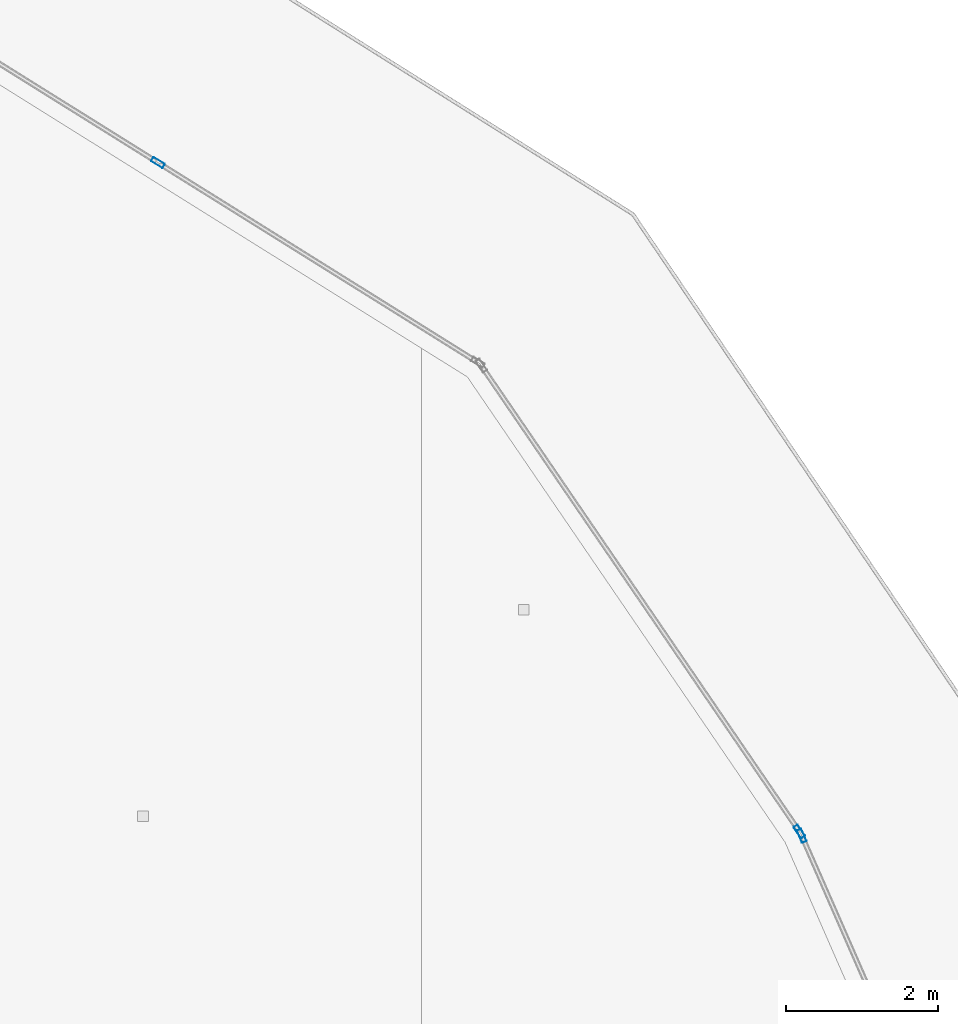
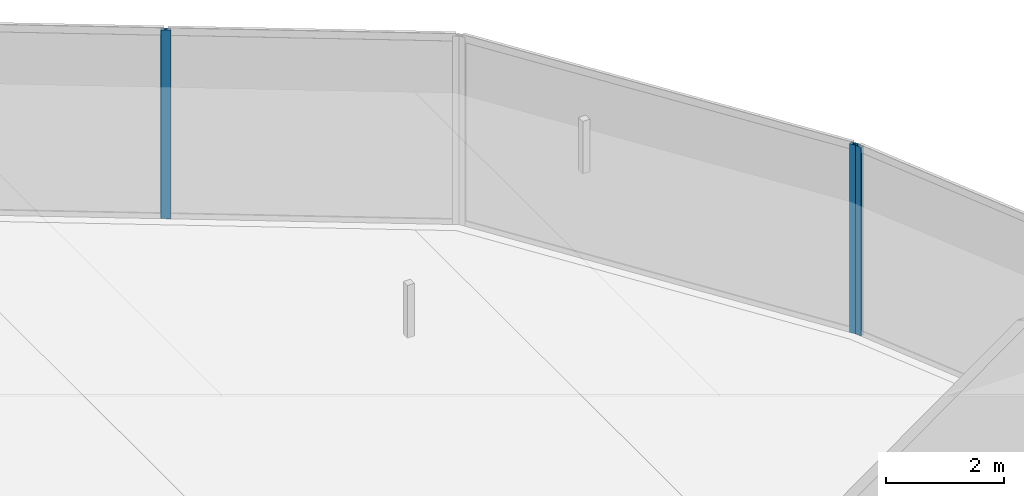
# One storey, part 21 of 44: 3 members, 3 elements without a shape of their own.
"""IFC4 building model written with IfcOpenShell, lengths in metres."""

from ifc_helpers import new_model, si_unit, direction, frame, origin, origin_2d, place, context, subcontext, project, spatial, hollow_rectangle, extrude, material, layer, layer_set, material_profile, profile_set, type_object, element, aggregate, save


model = new_model("IFC4")

# Units and contexts
model_context = context("Model", 3, precision=1e-05, world=origin(), true_north=direction((0.0, 1.0)))
body_context = subcontext(model_context, "Body", "Model", "MODEL_VIEW")
ifc_project = project(units=[si_unit("LENGTHUNIT", "METRE"), si_unit("AREAUNIT", "SQUARE_METRE"), si_unit("VOLUMEUNIT", "CUBIC_METRE"), si_unit("PLANEANGLEUNIT", "RADIAN"), si_unit("MASSUNIT", "GRAM", prefix="KILO")], contexts=[model_context])

# Site, building, storey
site_placement = place(None, origin())
site = spatial("IfcSite", under=ifc_project, at=site_placement, CompositionType="ELEMENT")
building_placement = place(site_placement, origin())
building = spatial("IfcBuilding", under=site, at=building_placement, Name="Qorvath Tower", CompositionType="ELEMENT")
storey_placement = place(building_placement, frame((0.0, 0.0, 53.39990234375)))
storey = spatial("IfcBuildingStorey", under=building, at=storey_placement, Name="L11", CompositionType="ELEMENT", Elevation=53.39990234375)

# Curtain wall, member
ifc_material_1 = material(Name="Anodised aluminium and triple low-E glass", Category="aluminium")
ifc_layer = layer(ifc_material_1, 0.179931640625)
ifc_layer_set = layer_set([ifc_layer], Name="CW-SYS-2")
curtain_wall_type = type_object("IfcCurtainWallType", Name="CW-SYS-2", PredefinedType="NOTDEFINED", material=ifc_layer_set)
curtain_wall_1_placement = place(storey_placement, origin())
curtain_wall_1 = element("IfcCurtainWall", 1, at=curtain_wall_1_placement, inside=storey, type_object=curtain_wall_type, Name="Curtain Wall CW-2 CW-T-L11-12.1", PredefinedType="NOTDEFINED")
ifc_material_2 = material(Name="Anodised aluminium 6063-T6", Category="aluminium")
ifc_material_profile = material_profile(ifc_material_2, hollow_rectangle(XDim=0.06494140625, YDim=0.179931640625, WallThickness=0.00341796875, InnerFilletRadius=0.00341796875, OuterFilletRadius=0.007080078125, at=origin_2d()), Name="CWM 180x65")
ifc_profile_set = profile_set([ifc_material_profile], Name="Anodised aluminium 6063-T6")
member_type = type_object("IfcMemberType", Name="CWM-180", PredefinedType="MULLION", material=ifc_profile_set)
member_1_placement = place(storey_placement, frame((2.63623046875, 19.49951171875, 0.0), z_axis=(0.0, 0.0, 1.0), x_axis=(-0.916000523281, -0.401177069819, 0.0)))
member_1 = element("IfcMember", 2, at=member_1_placement, type_object=member_type, Name="CW-2 mullion 2", PredefinedType="MULLION", context=body_context, shape_type="SweptSolid", body=[
    extrude(hollow_rectangle(XDim=0.06494140625, YDim=0.179931640625, WallThickness=0.00341796875, InnerFilletRadius=0.00341796875, OuterFilletRadius=0.007080078125, at=origin_2d()), origin(), (0.0, 0.0, 1.0), 3.920166015625),
])
aggregate(curtain_wall_1, [member_1])

curtain_wall_2_placement = place(storey_placement, origin())
curtain_wall_2 = element("IfcCurtainWall", 3, at=curtain_wall_2_placement, inside=storey, type_object=curtain_wall_type, Name="Curtain Wall CW-2 CW-T-L11-13.1", PredefinedType="NOTDEFINED")
member_2_placement = place(storey_placement, frame((2.60498046875, 19.55615234375, 0.0), z_axis=(0.0, 0.0, 1.0), x_axis=(-0.825849008834, -0.563891314535, 0.0)))
member_2 = element("IfcMember", 4, at=member_2_placement, type_object=member_type, Name="CW-2 mullion 1", PredefinedType="MULLION", context=body_context, shape_type="SweptSolid", body=[
    extrude(hollow_rectangle(XDim=0.06494140625, YDim=0.179931640625, WallThickness=0.00341796875, InnerFilletRadius=0.00341796875, OuterFilletRadius=0.007080078125, at=origin_2d()), origin(), (0.0, 0.0, 1.0), 3.920166015625),
])
aggregate(curtain_wall_2, [member_2])

curtain_wall_3_placement = place(storey_placement, origin())
curtain_wall_3 = element("IfcCurtainWall", 5, at=curtain_wall_3_placement, inside=storey, type_object=curtain_wall_type, Name="Curtain Wall CW-2 CW-T-L11-14.1", PredefinedType="NOTDEFINED")
member_3_placement = place(storey_placement, frame((-5.847900390625, 28.37109375, 0.0), z_axis=(0.0, 0.0, 1.0), x_axis=(-0.529724040691, -0.848170054125, 0.0)))
member_3 = element("IfcMember", 6, at=member_3_placement, type_object=member_type, Name="CW-2 mullion 2", PredefinedType="MULLION", context=body_context, shape_type="SweptSolid", body=[
    extrude(hollow_rectangle(XDim=0.06494140625, YDim=0.179931640625, WallThickness=0.00341796875, InnerFilletRadius=0.00341796875, OuterFilletRadius=0.007080078125, at=origin_2d()), origin(), (0.0, 0.0, 1.0), 3.920166015625),
])
aggregate(curtain_wall_3, [member_3])

save(model, "model.ifc")
